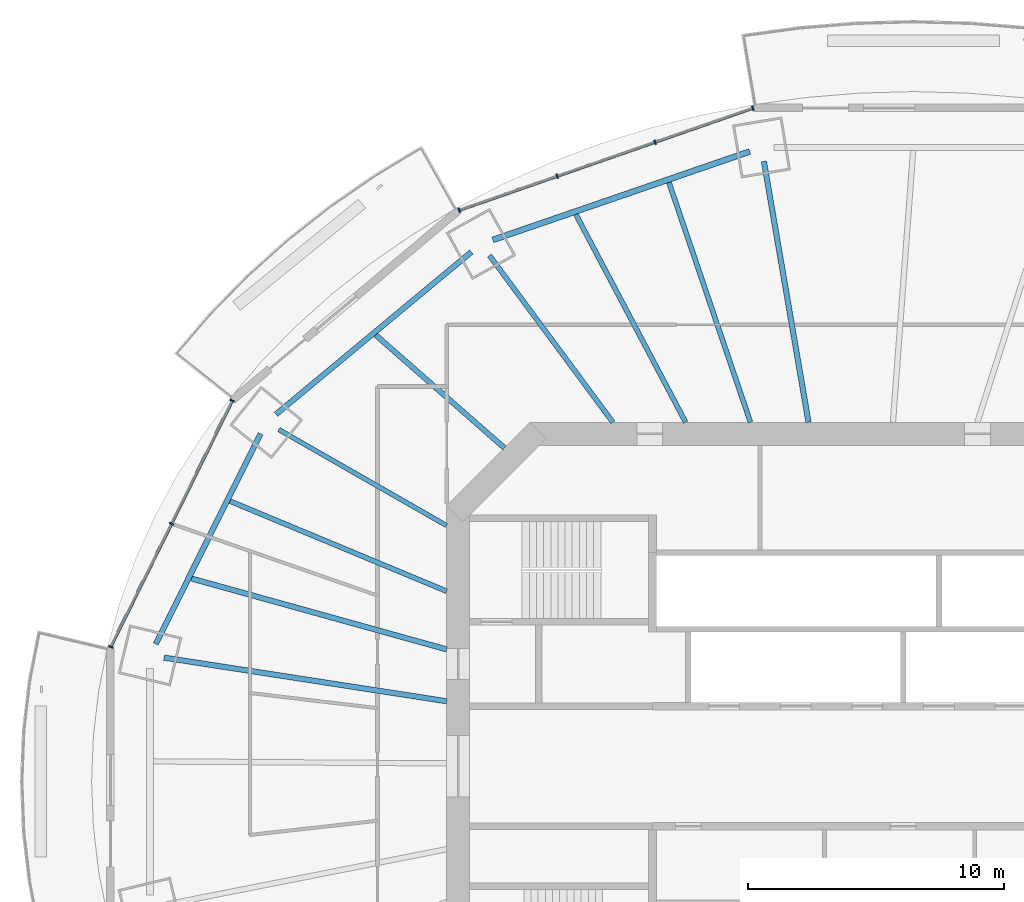
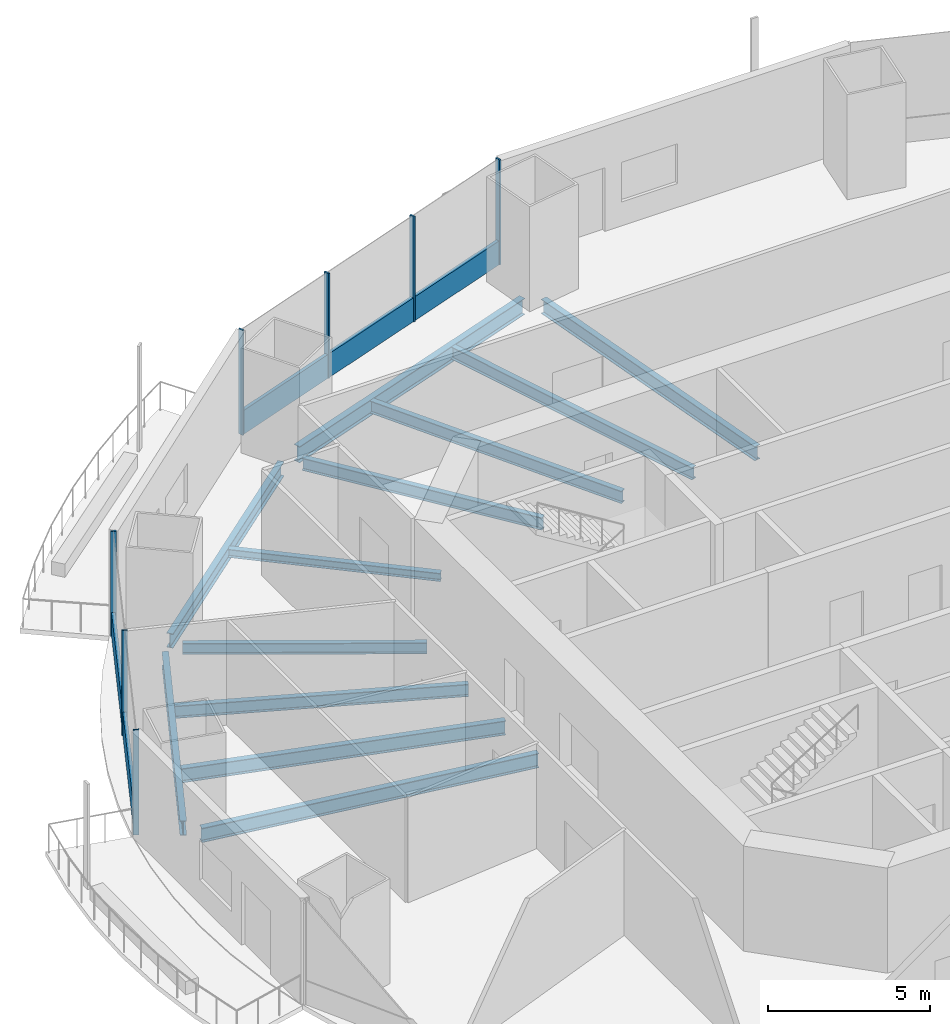
# One storey, part 6 of 20: 12 beams, 9 members, 2 elements without a shape of their own.
"""IFC4 building model written with IfcOpenShell, lengths in metres."""

from ifc_helpers import new_model, si_unit, direction, frame, origin, origin_2d, place, context, subcontext, project, spatial, rectangle, i_section, extrude, material, material_profile, profile_set, type_object, element, aggregate, save


model = new_model("IFC4")

# Units and contexts
model_context = context("Model", 3, precision=1e-05, world=origin(), true_north=direction((0.0, 1.0)))
body_context = subcontext(model_context, "Body", "Model", "MODEL_VIEW")
ifc_project = project(units=[si_unit("LENGTHUNIT", "METRE"), si_unit("AREAUNIT", "SQUARE_METRE"), si_unit("VOLUMEUNIT", "CUBIC_METRE"), si_unit("PLANEANGLEUNIT", "RADIAN"), si_unit("MASSUNIT", "GRAM", prefix="KILO")], contexts=[model_context])

# Site, building, storey
site_placement = place(None, origin())
site = spatial("IfcSite", under=ifc_project, at=site_placement, CompositionType="ELEMENT")
building_placement = place(site_placement, origin())
building = spatial("IfcBuilding", under=site, at=building_placement, Name="Marenthal Gate Tower", CompositionType="ELEMENT")
storey_placement = place(building_placement, frame((0.0, 0.0, 190.10009765625)))
storey = spatial("IfcBuildingStorey", under=building, at=storey_placement, Name="L41", CompositionType="ELEMENT", Elevation=190.10009765625)

# Curtain wall, members
ifc_material_1 = material(Name="Aluminium and glass", Category="aluminium")
curtain_wall_type = type_object("IfcCurtainWallType", Name="Curtain wall typical mid", PredefinedType="NOTDEFINED", material=ifc_material_1)
curtain_wall_1_placement = place(storey_placement, origin())
curtain_wall_1 = element("IfcCurtainWall", 1, at=curtain_wall_1_placement, inside=storey, type_object=curtain_wall_type, Name="Curtain wall L41 bay 5", PredefinedType="NOTDEFINED")
ifc_material_2 = material(Name="Aluminium", Category="aluminium")
ifc_material_profile_1 = material_profile(ifc_material_2, rectangle(XDim=0.179931640625, YDim=0.06005859375, at=origin_2d()), Name="60x180 aluminium mullion")
ifc_profile_set_1 = profile_set([ifc_material_profile_1], Name="Aluminium")
member_type_1 = type_object("IfcMemberType", Name="Mullion 60x180 typical mid", PredefinedType="MULLION", material=ifc_profile_set_1)
member_1_placement = place(storey_placement, frame((-4.47412109375, 25.735107421875, 0.0), z_axis=(0.0, 0.0, 1.0), x_axis=(0.328273001535, -0.944582890203, 0.0)))
member_1 = element("IfcMember", 2, at=member_1_placement, type_object=member_type_1, Name="Mullion L41 bay 5.1", PredefinedType="MULLION", context=body_context, shape_type="SweptSolid", body=[
    extrude(rectangle(XDim=0.179931640625, YDim=0.06005859375, at=origin_2d()), origin(), (0.0, 0.0, 1.0), 3.969970703125),
])
member_2_placement = place(storey_placement, frame((-8.30224609375, 24.40478515625, 0.0), z_axis=(0.0, 0.0, 1.0), x_axis=(0.328273001535, -0.944582890203, 0.0)))
member_2 = element("IfcMember", 3, at=member_2_placement, type_object=member_type_1, Name="Mullion L41 bay 5.2", PredefinedType="MULLION", context=body_context, shape_type="SweptSolid", body=[
    extrude(rectangle(XDim=0.179931640625, YDim=0.06005859375, at=origin_2d()), origin(), (0.0, 0.0, 1.0), 3.969970703125),
])
member_3_placement = place(storey_placement, frame((-12.13037109375, 23.07421875, 0.0), z_axis=(0.0, 0.0, 1.0), x_axis=(0.328273001535, -0.944582890203, 0.0)))
member_3 = element("IfcMember", 4, at=member_3_placement, type_object=member_type_1, Name="Mullion L41 bay 5.3", PredefinedType="MULLION", context=body_context, shape_type="SweptSolid", body=[
    extrude(rectangle(XDim=0.179931640625, YDim=0.06005859375, at=origin_2d()), origin(), (0.0, 0.0, 1.0), 3.969970703125),
])
member_4_placement = place(storey_placement, frame((-15.958251953125, 21.743896484375, 0.0), z_axis=(0.0, 0.0, 1.0), x_axis=(0.328273001535, -0.944582890203, 0.0)))
member_4 = element("IfcMember", 5, at=member_4_placement, type_object=member_type_1, Name="Mullion L41 bay 5.4", PredefinedType="MULLION", context=body_context, shape_type="SweptSolid", body=[
    extrude(rectangle(XDim=0.179931640625, YDim=0.06005859375, at=origin_2d()), origin(), (0.0, 0.0, 1.0), 3.969970703125),
])

curtain_wall_2_placement = place(storey_placement, origin())
curtain_wall_2 = element("IfcCurtainWall", 6, at=curtain_wall_2_placement, inside=storey, type_object=curtain_wall_type, Name="Curtain wall L41 bay 7", PredefinedType="NOTDEFINED")
member_5_placement = place(storey_placement, frame((-24.832763671875, 14.29638671875, 0.0), z_axis=(0.0, 0.0, 1.0), x_axis=(0.896680826174, -0.442677643406, 0.0)))
member_5 = element("IfcMember", 7, at=member_5_placement, type_object=member_type_1, Name="Mullion L41 bay 7.1", PredefinedType="MULLION", context=body_context, shape_type="SweptSolid", body=[
    extrude(rectangle(XDim=0.179931640625, YDim=0.06005859375, at=origin_2d()), origin(), (0.0, 0.0, 1.0), 3.969970703125),
])
member_6_placement = place(storey_placement, frame((-27.209716796875, 9.481689453125, 0.0), z_axis=(0.0, 0.0, 1.0), x_axis=(0.896680826174, -0.442677643406, 0.0)))
member_6 = element("IfcMember", 8, at=member_6_placement, type_object=member_type_1, Name="Mullion L41 bay 7.2", PredefinedType="MULLION", context=body_context, shape_type="SweptSolid", body=[
    extrude(rectangle(XDim=0.179931640625, YDim=0.06005859375, at=origin_2d()), origin(), (0.0, 0.0, 1.0), 3.969970703125),
])
member_7_placement = place(storey_placement, frame((-29.58642578125, 4.667236328125, 0.0), z_axis=(0.0, 0.0, 1.0), x_axis=(0.896680826174, -0.442677643406, 0.0)))
member_7 = element("IfcMember", 9, at=member_7_placement, type_object=member_type_1, Name="Mullion L41 bay 7.3", PredefinedType="MULLION", context=body_context, shape_type="SweptSolid", body=[
    extrude(rectangle(XDim=0.179931640625, YDim=0.06005859375, at=origin_2d()), origin(), (0.0, 0.0, 1.0), 3.969970703125),
])

# Member
ifc_material_3 = material(Name="Aluminium", Category="aluminium")
ifc_material_profile_2 = material_profile(ifc_material_3, rectangle(XDim=0.1201171875, YDim=0.89990234375, at=origin_2d()), Name="120x900 aluminium transom")
ifc_profile_set_2 = profile_set([ifc_material_profile_2], Name="Aluminium")
member_type_2 = type_object("IfcMemberType", Name="Transom 120x900 typical mid", PredefinedType="USERDEFINED", material=ifc_profile_set_2)
member_8_placement = place(storey_placement, frame((-4.50244140625, 25.72509765625, 0.449951171875), z_axis=(-0.944588780023, -0.328256053493, 0.0), x_axis=(0.328256053493, -0.944588780023, 0.0)))
member_8 = element("IfcMember", 10, at=member_8_placement, type_object=member_type_2, Name="Transom L41 bay 5", ObjectType="TRANSOM", PredefinedType="USERDEFINED", context=body_context, shape_type="SweptSolid", body=[
    extrude(rectangle(XDim=0.1201171875, YDim=0.89990234375, at=origin_2d()), origin(), (0.0, 0.0, 1.0), 12.097900390625),
])

aggregate(curtain_wall_1, [member_1, member_2, member_3, member_4, member_8])

member_9_placement = place(storey_placement, frame((-24.845947265625, 14.269287109375, 0.449951171875), z_axis=(-0.442690223778, -0.896674615327, 0.0), x_axis=(0.896674615327, -0.442690223778, 0.0)))
member_9 = element("IfcMember", 11, at=member_9_placement, type_object=member_type_2, Name="Transom L41 bay 7", ObjectType="TRANSOM", PredefinedType="USERDEFINED", context=body_context, shape_type="SweptSolid", body=[
    extrude(rectangle(XDim=0.1201171875, YDim=0.89990234375, at=origin_2d()), origin(), (0.0, 0.0, 1.0), 10.678466796875),
])

aggregate(curtain_wall_2, [member_5, member_6, member_7, member_9])

# Beams
ifc_material_4 = material(Name="Steel S355", Category="steel")
ifc_material_profile_3 = material_profile(ifc_material_4, i_section(OverallWidth=0.205078125, OverallDepth=0.31005859375, WebThickness=0.009521484375, FlangeThickness=0.016357421875, FilletRadius=0.0126953125, at=origin_2d()), Name="W310X74")
ifc_profile_set_3 = profile_set([ifc_material_profile_3], Name="Steel S355")
beam_type_1 = type_object("IfcBeamType", Name="W310X74 beam", PredefinedType="BEAM", material=ifc_profile_set_3)
beam_1_placement = place(storey_placement, frame((-19.2265625, 16.862060546875, -0.335205078125), z_axis=(0.751813002005, -0.659376379631, 0.0), x_axis=(0.659376379631, 0.751813002005, 0.0)))
element("IfcBeam", 12, at=beam_1_placement, inside=storey, type_object=beam_type_1, Name="BM-L41-25", PredefinedType="BEAM", context=body_context, shape_type="SweptSolid", body=[
    extrude(i_section(OverallWidth=0.205078125, OverallDepth=0.31005859375, WebThickness=0.009521484375, FlangeThickness=0.016357421875, FilletRadius=0.0126953125, at=origin_2d()), origin(), (0.0, 0.0, 1.0), 6.697998046875),
])
ifc_material_5 = material(Name="Steel S355", Category="steel")
ifc_material_profile_4 = material_profile(ifc_material_5, i_section(OverallWidth=0.180908203125, OverallDepth=0.4169921875, WebThickness=0.010986328125, FlangeThickness=0.018310546875, FilletRadius=0.01025390625, at=origin_2d()), Name="W410X85")
ifc_profile_set_4 = profile_set([ifc_material_profile_4], Name="Steel S355")
beam_type_2 = type_object("IfcBeamType", Name="W410X85 beam", PredefinedType="BEAM", material=ifc_profile_set_4)
beam_2_placement = place(storey_placement, frame((-23.016845703125, 13.165771484375, -0.388671875), z_axis=(0.868024608307, -0.496521177166, 0.0), x_axis=(0.496521177166, 0.868024608307, 0.0)))
element("IfcBeam", 13, at=beam_2_placement, inside=storey, type_object=beam_type_2, Name="BM-L41-07", PredefinedType="BEAM", context=body_context, shape_type="SweptSolid", body=[
    extrude(i_section(OverallWidth=0.180908203125, OverallDepth=0.4169921875, WebThickness=0.010986328125, FlangeThickness=0.018310546875, FilletRadius=0.01025390625, at=origin_2d()), origin(), (0.0, 0.0, 1.0), 7.5654296875),
])
ifc_material_6 = material(Name="Steel S355", Category="steel")
ifc_material_profile_5 = material_profile(ifc_material_6, i_section(OverallWidth=0.193115234375, OverallDepth=0.467041015625, WebThickness=0.011474609375, FlangeThickness=0.01904296875, FilletRadius=0.010009765625, at=origin_2d()), Name="W460X97")
ifc_profile_set_5 = profile_set([ifc_material_profile_5], Name="Steel S355")
beam_type_3 = type_object("IfcBeamType", Name="W460X97 beam", PredefinedType="BEAM", material=ifc_profile_set_5)
beam_3_placement = place(storey_placement, frame((-14.7763671875, 19.970947265625, -0.41357421875), z_axis=(0.59479633117, -0.803876436044, 0.0), x_axis=(0.803876436044, 0.59479633117, 0.0)))
element("IfcBeam", 14, at=beam_3_placement, inside=storey, type_object=beam_type_3, Name="BM-L41-06", PredefinedType="BEAM", context=body_context, shape_type="SweptSolid", body=[
    extrude(i_section(OverallWidth=0.193115234375, OverallDepth=0.467041015625, WebThickness=0.011474609375, FlangeThickness=0.01904296875, FilletRadius=0.010009765625, at=origin_2d()), origin(), (0.0, 0.0, 1.0), 8.11181640625),
])
beam_4_placement = place(storey_placement, frame((-7.7578125, 22.82861328125, -0.41357421875), z_axis=(0.321745866292, -0.946826065085, 0.0), x_axis=(0.946826065085, 0.321745866292, 0.0)))
element("IfcBeam", 15, at=beam_4_placement, inside=storey, type_object=beam_type_3, Name="BM-L41-23", PredefinedType="BEAM", context=body_context, shape_type="SweptSolid", body=[
    extrude(i_section(OverallWidth=0.193115234375, OverallDepth=0.467041015625, WebThickness=0.011474609375, FlangeThickness=0.01904296875, FilletRadius=0.010009765625, at=origin_2d()), origin(), (0.0, 0.0, 1.0), 9.9052734375),
])
beam_5_placement = place(storey_placement, frame((-11.397705078125, 21.576171875, -0.41357421875), z_axis=(0.467089292525, -0.884210151948, 0.0), x_axis=(0.884210151948, 0.467089292525, 0.0)))
element("IfcBeam", 16, at=beam_5_placement, inside=storey, type_object=beam_type_3, Name="BM-L41-24", PredefinedType="BEAM", context=body_context, shape_type="SweptSolid", body=[
    extrude(i_section(OverallWidth=0.193115234375, OverallDepth=0.467041015625, WebThickness=0.011474609375, FlangeThickness=0.01904296875, FilletRadius=0.010009765625, at=origin_2d()), origin(), (0.0, 0.0, 1.0), 9.1904296875),
])
beam_6_placement = place(storey_placement, frame((-24.922607421875, 10.36669921875, -0.41357421875), z_axis=(0.923312891466, -0.384048570433, 0.0), x_axis=(0.384048570433, 0.923312891466, 0.0)))
element("IfcBeam", 17, at=beam_6_placement, inside=storey, type_object=beam_type_3, Name="BM-L41-26", PredefinedType="BEAM", context=body_context, shape_type="SweptSolid", body=[
    extrude(i_section(OverallWidth=0.193115234375, OverallDepth=0.467041015625, WebThickness=0.011474609375, FlangeThickness=0.01904296875, FilletRadius=0.010009765625, at=origin_2d()), origin(), (0.0, 0.0, 1.0), 9.17626953125),
])
ifc_material_7 = material(Name="Steel S355", Category="steel")
ifc_material_profile_6 = material_profile(ifc_material_7, i_section(OverallWidth=0.2099609375, OverallDepth=0.535888671875, WebThickness=0.010986328125, FlangeThickness=0.017333984375, FilletRadius=0.0126953125, at=origin_2d()), Name="W530X101")
ifc_profile_set_6 = profile_set([ifc_material_profile_6], Name="Steel S355")
beam_type_4 = type_object("IfcBeamType", Name="W530X101 beam", PredefinedType="BEAM", material=ifc_profile_set_6)
beam_7_placement = place(storey_placement, frame((-26.431396484375, 7.341064453125, -0.447998046875), z_axis=(0.963528038179, -0.267607398335, 0.0), x_axis=(0.267607398335, 0.963528038179, 0.0)))
element("IfcBeam", 18, at=beam_7_placement, inside=storey, type_object=beam_type_4, Name="BM-L41-27", PredefinedType="BEAM", context=body_context, shape_type="SweptSolid", body=[
    extrude(i_section(OverallWidth=0.2099609375, OverallDepth=0.535888671875, WebThickness=0.010986328125, FlangeThickness=0.017333984375, FilletRadius=0.0126953125, at=origin_2d()), origin(), (0.0, 0.0, 1.0), 10.359375),
])
ifc_material_8 = material(Name="Steel S355", Category="steel")
ifc_material_profile_7 = material_profile(ifc_material_8, i_section(OverallWidth=0.2119140625, OverallDepth=0.5439453125, WebThickness=0.01318359375, FlangeThickness=0.021240234375, FilletRadius=0.0126953125, at=origin_2d()), Name="W530X123")
ifc_profile_set_7 = profile_set([ifc_material_profile_7], Name="Steel S355")
beam_type_5 = type_object("IfcBeamType", Name="W530X123 beam", PredefinedType="BEAM", material=ifc_profile_set_7)
beam_8_placement = place(storey_placement, frame((-4.044921875, 23.653076171875, -0.4521484375), z_axis=(0.168566436963, -0.985690294327, 0.0), x_axis=(0.985690294327, 0.168566436963, 0.0)))
element("IfcBeam", 19, at=beam_8_placement, inside=storey, type_object=beam_type_5, Name="BM-L41-05", PredefinedType="BEAM", context=body_context, shape_type="SweptSolid", body=[
    extrude(i_section(OverallWidth=0.2119140625, OverallDepth=0.5439453125, WebThickness=0.01318359375, FlangeThickness=0.021240234375, FilletRadius=0.0126953125, at=origin_2d()), origin(), (0.0, 0.0, 1.0), 10.351318359375),
])
beam_9_placement = place(storey_placement, frame((-27.503173828125, 4.24755859375, -0.4521484375), z_axis=(0.988283712308, -0.152627992147, 0.0), x_axis=(0.152627992147, 0.988283712308, 0.0)))
element("IfcBeam", 20, at=beam_9_placement, inside=storey, type_object=beam_type_5, Name="BM-L41-08", PredefinedType="BEAM", context=body_context, shape_type="SweptSolid", body=[
    extrude(i_section(OverallWidth=0.2119140625, OverallDepth=0.5439453125, WebThickness=0.01318359375, FlangeThickness=0.021240234375, FilletRadius=0.0126953125, at=origin_2d()), origin(), (0.0, 0.0, 1.0), 11.184326171875),
])
beam_10_placement = place(storey_placement, frame((-15.4873046875, 20.10595703125, -0.4521484375), z_axis=(-0.769236112246, -0.638964634089, 0.0), x_axis=(0.638964634089, -0.769236112246, 0.0)))
element("IfcBeam", 21, at=beam_10_placement, inside=storey, type_object=beam_type_5, Name="BM-L41-46", PredefinedType="BEAM", context=body_context, shape_type="SweptSolid", body=[
    extrude(i_section(OverallWidth=0.2119140625, OverallDepth=0.5439453125, WebThickness=0.01318359375, FlangeThickness=0.021240234375, FilletRadius=0.0126953125, at=origin_2d()), origin(), (0.0, 0.0, 1.0), 9.928955078125),
])
beam_11_placement = place(storey_placement, frame((-23.72802734375, 12.999755859375, -0.4521484375), z_axis=(-0.446245776871, -0.894910446148, 0.0), x_axis=(0.894910446148, -0.446245776871, 0.0)))
element("IfcBeam", 22, at=beam_11_placement, inside=storey, type_object=beam_type_5, Name="BM-L41-47", PredefinedType="BEAM", context=body_context, shape_type="SweptSolid", body=[
    extrude(i_section(OverallWidth=0.2119140625, OverallDepth=0.5439453125, WebThickness=0.01318359375, FlangeThickness=0.021240234375, FilletRadius=0.0126953125, at=origin_2d()), origin(), (0.0, 0.0, 1.0), 9.184814453125),
])
ifc_material_9 = material(Name="Steel S355", Category="steel")
ifc_material_profile_8 = material_profile(ifc_material_9, i_section(OverallWidth=0.22900390625, OverallDepth=0.612060546875, WebThickness=0.011962890625, FlangeThickness=0.01953125, FilletRadius=0.0126953125, at=origin_2d()), Name="W610X125")
ifc_profile_set_8 = profile_set([ifc_material_profile_8], Name="Steel S355")
beam_type_6 = type_object("IfcBeamType", Name="W610X125 beam", PredefinedType="BEAM", material=ifc_profile_set_8)
beam_12_placement = place(storey_placement, frame((-4.599853515625, 24.0361328125, -0.486083984375), z_axis=(-0.945594274162, -0.325348226785, 0.0), x_axis=(0.325348226785, -0.945594274162, 0.0)))
element("IfcBeam", 23, at=beam_12_placement, inside=storey, type_object=beam_type_6, Name="BM-L41-45", PredefinedType="BEAM", context=body_context, shape_type="SweptSolid", body=[
    extrude(i_section(OverallWidth=0.22900390625, OverallDepth=0.612060546875, WebThickness=0.011962890625, FlangeThickness=0.01953125, FilletRadius=0.0126953125, at=origin_2d()), origin(), (0.0, 0.0, 1.0), 10.623291015625),
])

save(model, "model.ifc")
